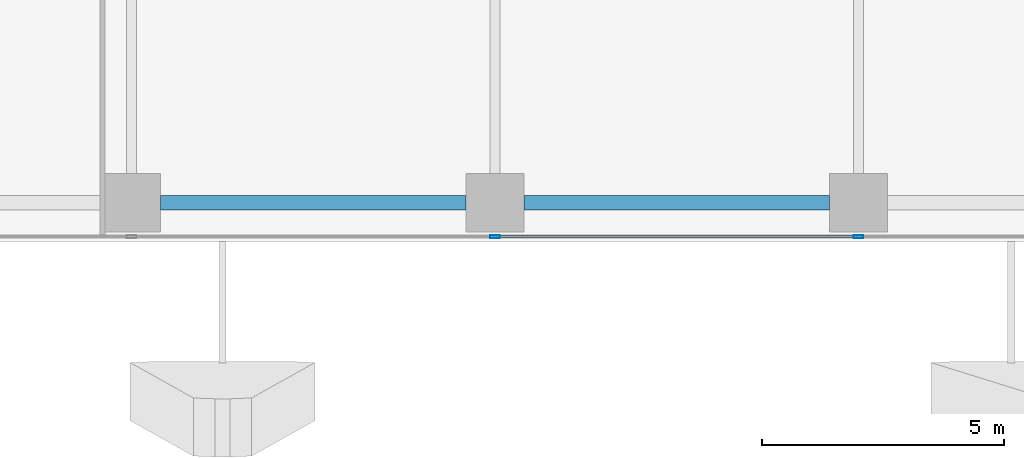
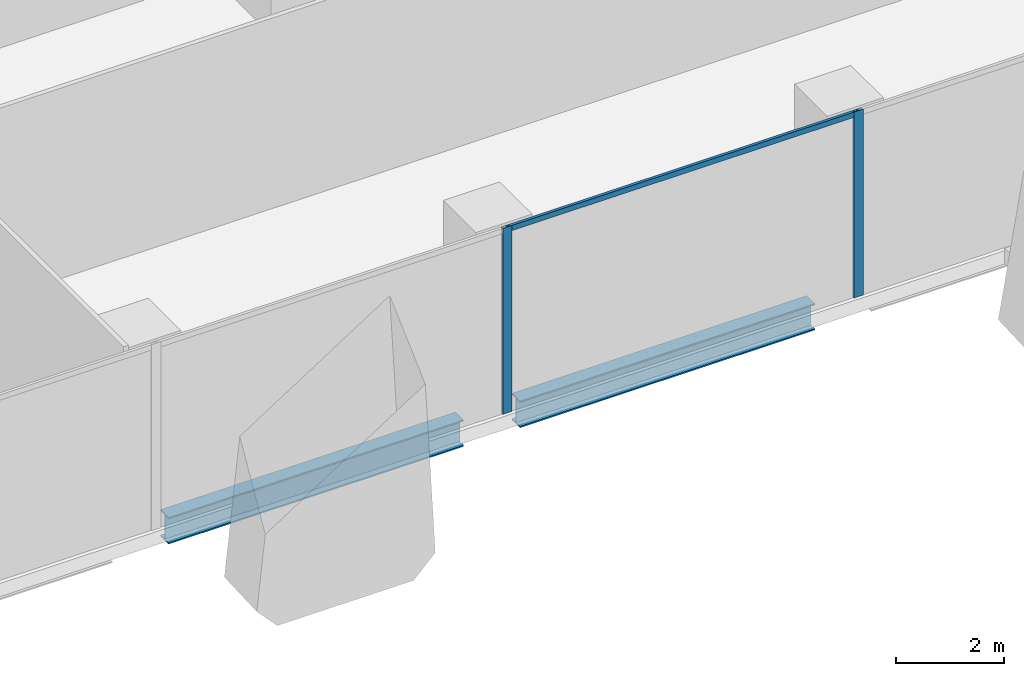
# One storey, part 7 of 35: 3 members, 2 beams, 1 element without a shape of its own.
"""IFC4 building model written with IfcOpenShell, lengths in metres."""

from ifc_helpers import new_model, si_unit, direction, frame, origin, origin_2d, place, context, subcontext, project, spatial, hollow_rectangle, i_section, extrude, source, transform, mapped, material, material_profile, profile_set, type_object, element, aggregate, save


model = new_model("IFC4")

# Units and contexts
model_context = context("Model", 3, precision=1e-05, world=origin(), true_north=direction((0.0, 1.0)))
body_context = subcontext(model_context, "Body", "Model", "MODEL_VIEW")
ifc_project = project(units=[si_unit("LENGTHUNIT", "METRE"), si_unit("AREAUNIT", "SQUARE_METRE"), si_unit("VOLUMEUNIT", "CUBIC_METRE"), si_unit("PLANEANGLEUNIT", "RADIAN"), si_unit("MASSUNIT", "GRAM", prefix="KILO")], contexts=[model_context])

# Site, building, storey
site_placement = place(None, origin())
site = spatial("IfcSite", under=ifc_project, at=site_placement, CompositionType="ELEMENT")
building_placement = place(site_placement, origin())
building = spatial("IfcBuilding", under=site, at=building_placement, Name="Khomas Fold Tower", CompositionType="ELEMENT")
storey_placement = place(building_placement, frame((0.0, 0.0, 69.0)))
storey = spatial("IfcBuildingStorey", under=building, at=storey_placement, Name="L14", CompositionType="ELEMENT", Elevation=69.0)

# Beams
ifc_material_1 = material(Name="Steel S355", Category="steel")
ifc_material_profile_1 = material_profile(ifc_material_1, i_section(OverallWidth=0.300048828125, OverallDepth=0.60009765625, WebThickness=0.015380859375, FlangeThickness=0.030029296875, at=origin_2d()), Name="HE 600 B")
ifc_profile_set_1 = profile_set([ifc_material_profile_1], Name="Steel S355")
beam_type = type_object("IfcBeamType", Name="HE 600 B spandrel SB1", PredefinedType="SPANDREL", material=ifc_profile_set_1)
shared_shape_1 = source(origin(), body_context, "Body", "SweptSolid", [
    extrude(i_section(OverallWidth=0.300048828125, OverallDepth=0.60009765625, WebThickness=0.015380859375, FlangeThickness=0.030029296875, at=origin_2d()), origin(), (0.0, 0.0, 1.0), 6.2998046875),
])
for number, where, z_axis, x_axis, name in (
    (1, (27.60009765625, 0.800048828125, -0.60009765625), (1.0, 0.0, 0.0), (0.0, 1.0, 0.0), "SB1"),
    (2, (35.10009765625, 0.800048828125, -0.60009765625), (1.0, 0.0, 0.0), (0.0, 1.0, 0.0), "SB1"),
):
    element("IfcBeam", number, at=place(storey_placement, frame(where, z_axis=z_axis, x_axis=x_axis)), inside=storey, type_object=beam_type, Name=name, PredefinedType="SPANDREL", context=body_context, shape_type="MappedRepresentation", body=[
        mapped(shared_shape_1, transform((0.0, 0.0, 0.0))),
    ])

# Curtain wall, members
ifc_material_2 = material(Name="Aluminium framed double glazing", Category="aluminium")
curtain_wall_type = type_object("IfcCurtainWallType", Name="SK-Unitised clear-glass wall, growing floors CW1", PredefinedType="NOTDEFINED", material=ifc_material_2)
curtain_wall_placement = place(storey_placement, origin())
curtain_wall = element("IfcCurtainWall", 3, at=curtain_wall_placement, inside=storey, type_object=curtain_wall_type, Name="CW1 run L14 00-0", PredefinedType="NOTDEFINED")
ifc_material_3 = material(Name="Aluminium", Category="aluminium")
ifc_material_profile_2 = material_profile(ifc_material_3, hollow_rectangle(XDim=0.06005859375, YDim=0.1201171875, WallThickness=0.00390625, at=origin_2d()), Name="SK-Unitised clear-glass wall, growing floors transom CW1-T")
ifc_profile_set_2 = profile_set([ifc_material_profile_2], Name="Aluminium")
member_type_1 = type_object("IfcMemberType", Name="SK-Unitised clear-glass wall, growing floors transom CW1-T", PredefinedType="USERDEFINED", material=ifc_profile_set_2)
shared_shape_2 = source(origin(), body_context, "Body", "SweptSolid", [
    extrude(hollow_rectangle(XDim=0.06005859375, YDim=0.1201171875, WallThickness=0.00390625, at=origin_2d()), origin(), (0.0, 0.0, 1.0), 7.43994140625),
])
member_1_placement = place(storey_placement, frame((34.530029296875, 0.10009765625, 4.139892578125), z_axis=(1.0, 0.0, 0.0), x_axis=(0.0, 1.0, 0.0)))
member_1 = element("IfcMember", 4, at=member_1_placement, type_object=member_type_1, Name="CW1 transom 6", ObjectType="TRANSOM", PredefinedType="USERDEFINED", context=body_context, shape_type="MappedRepresentation", body=[
    mapped(shared_shape_2, transform((0.0, 0.0, 0.0))),
])
ifc_material_4 = material(Name="Aluminium", Category="aluminium")
ifc_material_profile_3 = material_profile(ifc_material_4, hollow_rectangle(XDim=0.06005859375, YDim=0.199951171875, WallThickness=0.00390625, at=origin_2d()), Name="SK-Unitised clear-glass wall, growing floors mullion CW1-M")
ifc_profile_set_3 = profile_set([ifc_material_profile_3], Name="Aluminium")
member_type_2 = type_object("IfcMemberType", Name="SK-Unitised clear-glass wall, growing floors mullion CW1-M", PredefinedType="MULLION", material=ifc_profile_set_3)
shared_shape_3 = source(origin(), body_context, "Body", "SweptSolid", [
    extrude(hollow_rectangle(XDim=0.06005859375, YDim=0.199951171875, WallThickness=0.00390625, at=origin_2d()), origin(), (0.0, 0.0, 1.0), 4.199951171875),
])
member_2_placement = place(storey_placement, frame((34.5, 0.10009765625, 0.0), z_axis=(0.0, 0.0, 1.0), x_axis=(0.0, 1.0, 0.0)))
member_2 = element("IfcMember", 5, at=member_2_placement, type_object=member_type_2, Name="CW1 mullion 6", PredefinedType="MULLION", context=body_context, shape_type="MappedRepresentation", body=[
    mapped(shared_shape_3, transform((0.0, 0.0, 0.0))),
])
member_3_placement = place(storey_placement, frame((42.0, 0.10009765625, 0.0), z_axis=(0.0, 0.0, 1.0), x_axis=(0.0, 1.0, 0.0)))
member_3 = element("IfcMember", 6, at=member_3_placement, type_object=member_type_2, Name="CW1 mullion 7", PredefinedType="MULLION", context=body_context, shape_type="MappedRepresentation", body=[
    mapped(shared_shape_3, transform((0.0, 0.0, 0.0))),
])
aggregate(curtain_wall, [member_2, member_3, member_1])

save(model, "model.ifc")
